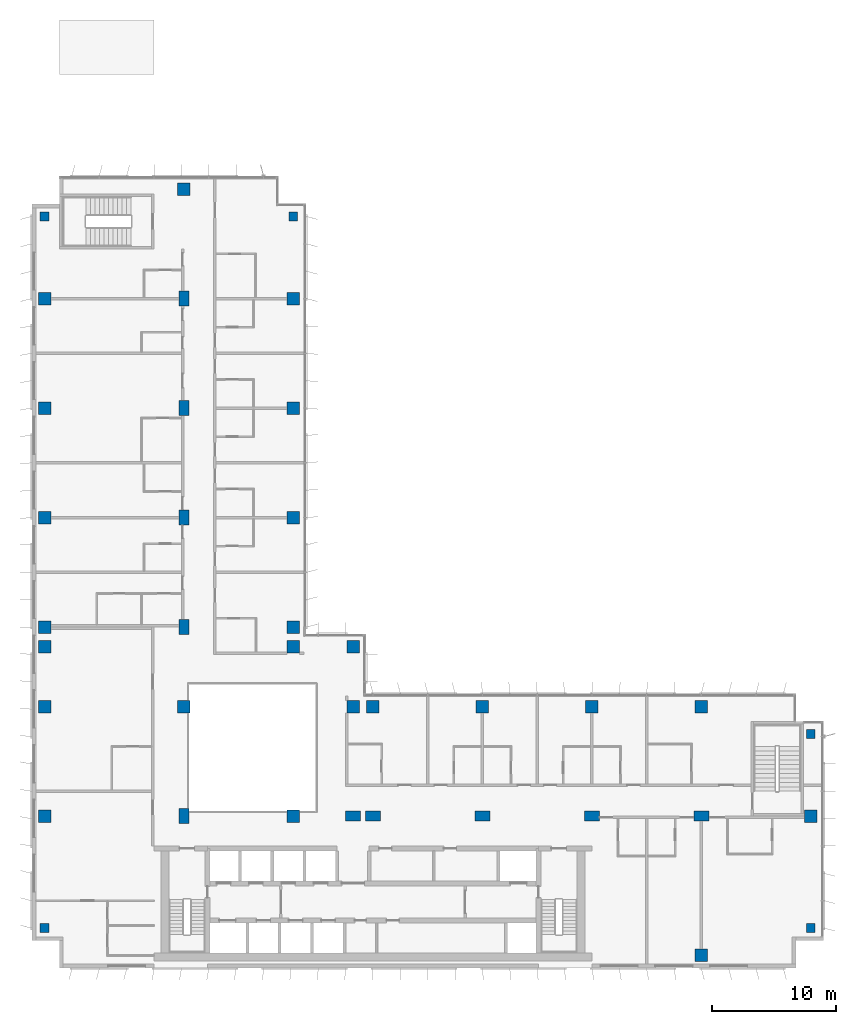
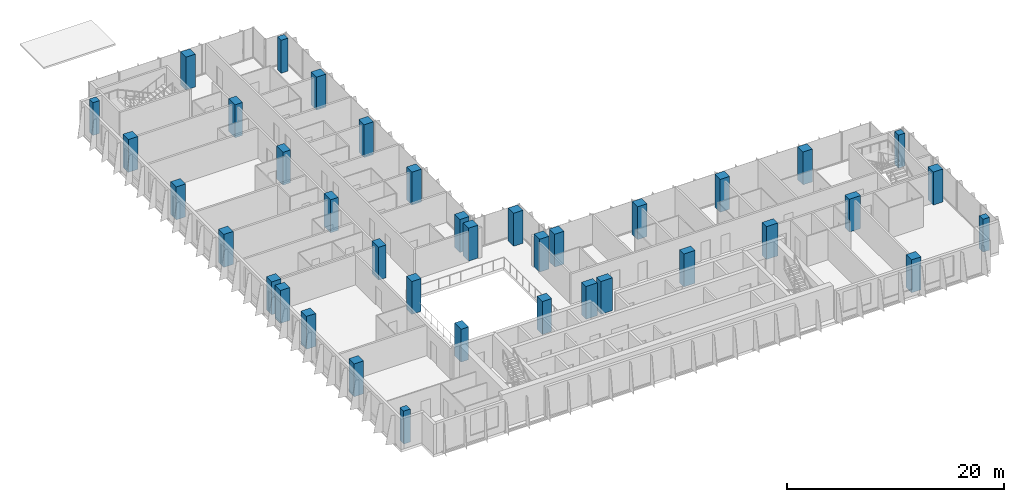
# One storey, part 1 of 21: 38 columns.
"""IFC4 building model written with IfcOpenShell, lengths in metres."""

from ifc_helpers import new_model, si_unit, direction, frame, origin, origin_2d, place, context, subcontext, project, spatial, rectangle, extrude, material, material_profile, profile_set, type_object, element, save


model = new_model("IFC4")

# Units and contexts
model_context = context("Model", 3, precision=1e-05, world=origin(), true_north=direction((0.0, 1.0)))
body_context = subcontext(model_context, "Body", "Model", "MODEL_VIEW")
ifc_project = project(units=[si_unit("LENGTHUNIT", "METRE"), si_unit("AREAUNIT", "SQUARE_METRE"), si_unit("VOLUMEUNIT", "CUBIC_METRE"), si_unit("PLANEANGLEUNIT", "RADIAN"), si_unit("MASSUNIT", "GRAM", prefix="KILO")], contexts=[model_context])

# Site, building, storey
site_placement = place(None, origin())
site = spatial("IfcSite", under=ifc_project, at=site_placement, CompositionType="ELEMENT")
building_placement = place(site_placement, origin())
building = spatial("IfcBuilding", under=site, at=building_placement, Name="Kemantara Hotel Tower", CompositionType="ELEMENT")
storey_placement = place(building_placement, frame((0.0, 0.0, 156.800048828125)))
storey = spatial("IfcBuildingStorey", under=building, at=storey_placement, Name="L38", CompositionType="ELEMENT", Elevation=156.800048828125)

# Columns
ifc_material = material(Name="Concrete fc 60 MPa", Category="concrete")
ifc_material_profile_1 = material_profile(ifc_material, rectangle(XDim=1.0, YDim=1.0, at=origin_2d()), Name="RC 1000X1000")
ifc_profile_set_1 = profile_set([ifc_material_profile_1], Name="Concrete fc 60 MPa")
column_type_1 = type_object("IfcColumnType", Name="RC COLUMN 1000X1000 FC60", PredefinedType="COLUMN", material=ifc_profile_set_1)
for number, where, z_axis, x_axis, name in (
    (1, (1.0, 12.199951171875, 0.0), (0.0, 0.0, 1.0), (1.0, 0.0, 0.0), "COLUMN 1/BA L38"),
    (2, (1.0, 21.0, 0.0), (0.0, 0.0, 1.0), (1.0, 0.0, 0.0), "COLUMN 1/C L38"),
    (3, (1.0, 25.800048828125, 0.0), (0.0, 0.0, 1.0), (1.0, 0.0, 0.0), "COLUMN 1/CA L38"),
    (4, (1.0, 27.39990234375, 0.0), (0.0, 0.0, 1.0), (1.0, 0.0, 0.0), "COLUMN 1/D L38"),
    (5, (1.0, 36.199951171875, 0.0), (0.0, 0.0, 1.0), (1.0, 0.0, 0.0), "COLUMN 1/E L38"),
    (6, (1.0, 45.0, 0.0), (0.0, 0.0, 1.0), (1.0, 0.0, 0.0), "COLUMN 1/F L38"),
    (7, (1.0, 53.800048828125, 0.0), (0.0, 0.0, 1.0), (1.0, 0.0, 0.0), "COLUMN 1/G L38"),
    (8, (12.199951171875, 21.0, 0.0), (0.0, 0.0, 1.0), (1.0, 0.0, 0.0), "COLUMN 2A/C L38"),
    (9, (12.199951171875, 62.60009765625, 0.0), (0.0, 0.0, 1.0), (1.0, 0.0, 0.0), "COLUMN 2A/H L38"),
    (10, (21.0, 12.199951171875, 0.0), (0.0, 0.0, 1.0), (1.0, 0.0, 0.0), "COLUMN 3/BA L38"),
    (11, (21.0, 25.800048828125, 0.0), (0.0, 0.0, 1.0), (1.0, 0.0, 0.0), "COLUMN 3/CA L38"),
    (12, (21.0, 27.39990234375, 0.0), (0.0, 0.0, 1.0), (1.0, 0.0, 0.0), "COLUMN 3/D L38"),
    (13, (21.0, 36.199951171875, 0.0), (0.0, 0.0, 1.0), (1.0, 0.0, 0.0), "COLUMN 3/E L38"),
    (14, (21.0, 45.0, 0.0), (0.0, 0.0, 1.0), (1.0, 0.0, 0.0), "COLUMN 3/F L38"),
    (15, (21.0, 53.800048828125, 0.0), (0.0, 0.0, 1.0), (1.0, 0.0, 0.0), "COLUMN 3/G L38"),
    (16, (25.800048828125, 21.0, 0.0), (0.0, 0.0, 1.0), (1.0, 0.0, 0.0), "COLUMN 3A/C L38"),
    (17, (25.800048828125, 25.800048828125, 0.0), (0.0, 0.0, 1.0), (1.0, 0.0, 0.0), "COLUMN 3A/CA L38"),
    (18, (27.39990234375, 21.0, 0.0), (0.0, 0.0, 1.0), (1.0, 0.0, 0.0), "COLUMN 4/C L38"),
    (19, (36.199951171875, 21.0, 0.0), (0.0, 0.0, 1.0), (1.0, 0.0, 0.0), "COLUMN 5/C L38"),
    (20, (45.0, 21.0, 0.0), (0.0, 0.0, 1.0), (1.0, 0.0, 0.0), "COLUMN 6/C L38"),
    (21, (53.800048828125, 1.0, 0.0), (0.0, 0.0, 1.0), (1.0, 0.0, 0.0), "COLUMN 7/A L38"),
    (22, (53.800048828125, 21.0, 0.0), (0.0, 0.0, 1.0), (1.0, 0.0, 0.0), "COLUMN 7/C L38"),
    (23, (62.60009765625, 12.199951171875, 0.0), (0.0, 0.0, 1.0), (1.0, 0.0, 0.0), "COLUMN 8/BA L38"),
):
    element("IfcColumn", number, at=place(storey_placement, frame(where, z_axis=z_axis, x_axis=x_axis)), inside=storey, type_object=column_type_1, Name=name, PredefinedType="COLUMN", context=body_context, shape_type="SweptSolid", body=[
        extrude(rectangle(XDim=1.0, YDim=1.0, at=origin_2d()), origin(), (0.0, 0.0, 1.0), 3.699951171875),
    ])
ifc_material_profile_2 = material_profile(ifc_material, rectangle(XDim=1.199951171875, YDim=0.800048828125, at=origin_2d()), Name="RC 1200X800")
ifc_profile_set_2 = profile_set([ifc_material_profile_2], Name="Concrete fc 60 MPa")
column_type_2 = type_object("IfcColumnType", Name="RC COLUMN 1200X800 FC60", PredefinedType="COLUMN", material=ifc_profile_set_2)
for number, where, z_axis, x_axis, name in (
    (24, (12.199951171875, 12.199951171875, 0.0), (0.0, 0.0, 1.0), (0.0, 1.0, 0.0), "COLUMN 2A/BA L38"),
    (25, (12.199951171875, 27.39990234375, 0.0), (0.0, 0.0, 1.0), (0.0, 1.0, 0.0), "COLUMN 2A/D L38"),
    (26, (12.199951171875, 36.199951171875, 0.0), (0.0, 0.0, 1.0), (0.0, 1.0, 0.0), "COLUMN 2A/E L38"),
    (27, (12.199951171875, 45.0, 0.0), (0.0, 0.0, 1.0), (0.0, 1.0, 0.0), "COLUMN 2A/F L38"),
    (28, (12.199951171875, 53.800048828125, 0.0), (0.0, 0.0, 1.0), (0.0, 1.0, 0.0), "COLUMN 2A/G L38"),
    (29, (25.800048828125, 12.199951171875, 0.0), (0.0, 0.0, 1.0), (1.0, 0.0, 0.0), "COLUMN 3A/BA L38"),
    (30, (27.39990234375, 12.199951171875, 0.0), (0.0, 0.0, 1.0), (1.0, 0.0, 0.0), "COLUMN 4/BA L38"),
    (31, (36.199951171875, 12.199951171875, 0.0), (0.0, 0.0, 1.0), (1.0, 0.0, 0.0), "COLUMN 5/BA L38"),
    (32, (45.0, 12.199951171875, 0.0), (0.0, 0.0, 1.0), (1.0, 0.0, 0.0), "COLUMN 6/BA L38"),
    (33, (53.800048828125, 12.199951171875, 0.0), (0.0, 0.0, 1.0), (1.0, 0.0, 0.0), "COLUMN 7/BA L38"),
):
    element("IfcColumn", number, at=place(storey_placement, frame(where, z_axis=z_axis, x_axis=x_axis)), inside=storey, type_object=column_type_2, Name=name, PredefinedType="COLUMN", context=body_context, shape_type="SweptSolid", body=[
        extrude(rectangle(XDim=1.199951171875, YDim=0.800048828125, at=origin_2d()), origin(), (0.0, 0.0, 1.0), 3.699951171875),
    ])
ifc_material_profile_3 = material_profile(ifc_material, rectangle(XDim=0.699951171875, YDim=0.699951171875, at=origin_2d()), Name="RC 700X700")
ifc_profile_set_3 = profile_set([ifc_material_profile_3], Name="Concrete fc 60 MPa")
column_type_3 = type_object("IfcColumnType", Name="RC COLUMN 700X700 FC60", PredefinedType="COLUMN", material=ifc_profile_set_3)
for number, where, z_axis, x_axis, name in (
    (34, (1.0, 3.199951171875, 0.0), (0.0, 0.0, 1.0), (1.0, 0.0, 0.0), "COLUMN notch corner L38"),
    (35, (1.0, 60.39990234375, 0.0), (0.0, 0.0, 1.0), (1.0, 0.0, 0.0), "COLUMN notch corner L38"),
    (36, (21.0, 60.39990234375, 0.0), (0.0, 0.0, 1.0), (1.0, 0.0, 0.0), "COLUMN notch corner L38"),
    (37, (62.60009765625, 3.199951171875, 0.0), (0.0, 0.0, 1.0), (1.0, 0.0, 0.0), "COLUMN notch corner L38"),
    (38, (62.60009765625, 18.800048828125, 0.0), (0.0, 0.0, 1.0), (1.0, 0.0, 0.0), "COLUMN notch corner L38"),
):
    element("IfcColumn", number, at=place(storey_placement, frame(where, z_axis=z_axis, x_axis=x_axis)), inside=storey, type_object=column_type_3, Name=name, PredefinedType="COLUMN", context=body_context, shape_type="SweptSolid", body=[
        extrude(rectangle(XDim=0.699951171875, YDim=0.699951171875, at=origin_2d()), origin(), (0.0, 0.0, 1.0), 3.699951171875),
    ])

save(model, "model.ifc")
